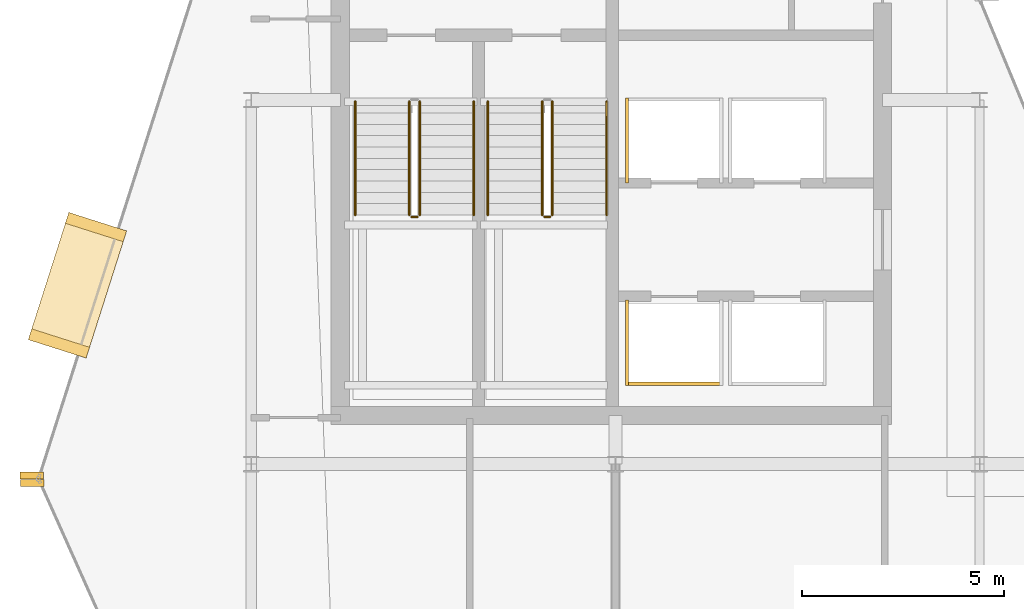
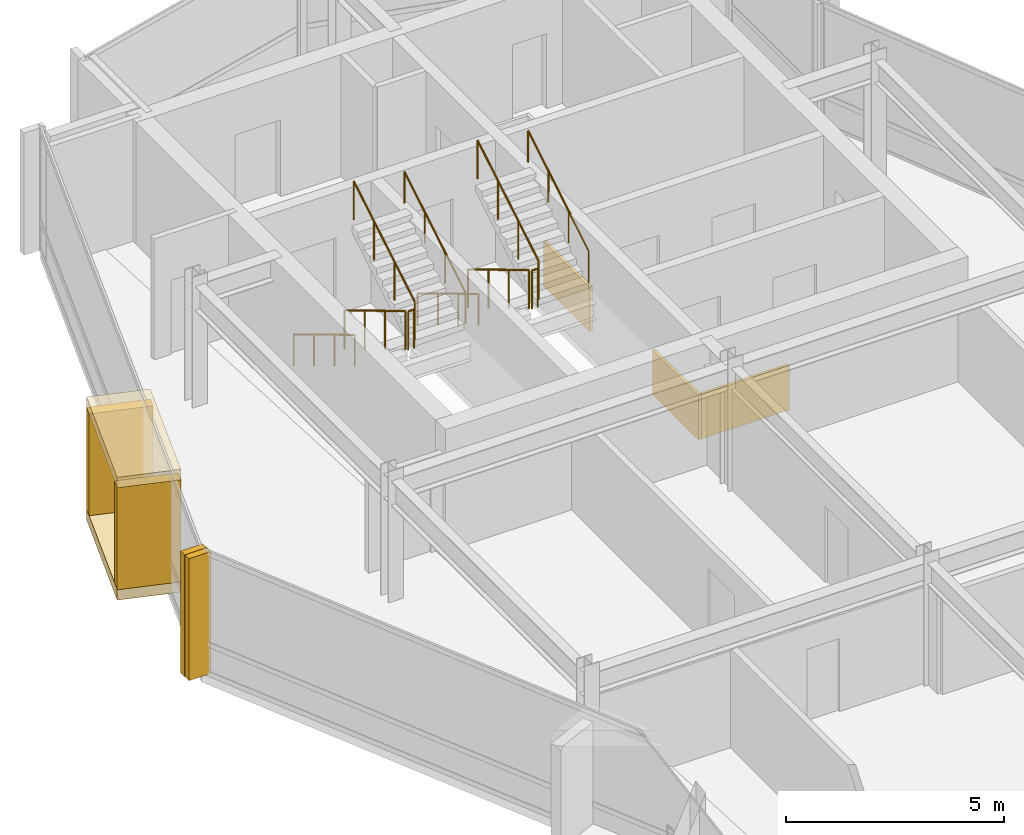
# One storey, part 17 of 19: 10 railings, 9 coverings.
"""IFC4 building model written with IfcOpenShell, lengths in metres."""

from ifc_helpers import new_model, si_unit, direction, frame, origin, origin_2d, place, context, subcontext, project, spatial, rectangle, circle, extrude, material, layer, layer_set, type_object, element, save


model = new_model("IFC4")

# Units and contexts
model_context = context("Model", 3, precision=1e-05, world=origin(), true_north=direction((0.0, 1.0)))
body_context = subcontext(model_context, "Body", "Model", "MODEL_VIEW")
ifc_project = project(units=[si_unit("LENGTHUNIT", "METRE"), si_unit("AREAUNIT", "SQUARE_METRE"), si_unit("VOLUMEUNIT", "CUBIC_METRE"), si_unit("PLANEANGLEUNIT", "RADIAN"), si_unit("MASSUNIT", "GRAM", prefix="KILO")], contexts=[model_context])

# Site, building, storey
site_placement = place(None, origin())
site = spatial("IfcSite", under=ifc_project, at=site_placement, CompositionType="ELEMENT")
building_placement = place(site_placement, origin())
building = spatial("IfcBuilding", under=site, at=building_placement, Name="Solvaryn Broadcast Tower", CompositionType="ELEMENT")
storey_placement = place(building_placement, frame((0.0, 0.0, 277.800048828125)))
storey = spatial("IfcBuildingStorey", under=building, at=storey_placement, Name="L70", CompositionType="ELEMENT", Elevation=277.800048828125)

# Coverings
ifc_material_1 = material(Name="Fire-Rated Gypsum Shaftwall Liner", Category="concrete")
ifc_layer_1 = layer(ifc_material_1, 0.080078125)
ifc_layer_set_1 = layer_set([ifc_layer_1], Name="CV-SHAFT-LINER")
covering_type_1 = type_object("IfcCoveringType", Name="CV-SHAFT-LINER", PredefinedType="CLADDING", material=ifc_layer_set_1)
covering_placement = place(storey_placement, frame((19.449951171875, 28.985107421875, 0.0), z_axis=(0.0, 0.0, 1.0), x_axis=(1.0, 0.0, 0.0)))
element("IfcCovering", 1, at=covering_placement, inside=storey, type_object=covering_type_1, Name="L70 PH1 Hoistway Shaft Liner South", PredefinedType="CLADDING", context=body_context, shape_type="SweptSolid", body=[
    extrude(rectangle(XDim=2.409912109375, YDim=0.080078125, at=origin_2d()), origin(), (0.0, 0.0, 1.0), 1.25),
])
for number, where, z_axis, x_axis, name in (
    (2, (18.284912109375, 30.0, 0.0), (0.0, 0.0, 1.0), (1.0, 0.0, 0.0), "L70 PH1 Hoistway Shaft Liner West"),
    (3, (18.284912109375, 35.0, 0.0), (0.0, 0.0, 1.0), (1.0, 0.0, 0.0), "L70 PH3 Hoistway Shaft Liner West"),
):
    element("IfcCovering", number, at=place(storey_placement, frame(where, z_axis=z_axis, x_axis=x_axis)), inside=storey, type_object=covering_type_1, Name=name, PredefinedType="CLADDING", context=body_context, shape_type="SweptSolid", body=[
        extrude(rectangle(XDim=0.080078125, YDim=2.110107421875, at=origin_2d()), origin(), (0.0, 0.0, 1.0), 1.25),
    ])
ifc_material_2 = material(Name="Glazed Architectural Terracotta Rainscreen Cladding", Category="masonry")
ifc_layer_2 = layer(ifc_material_2, 0.280029296875)
ifc_layer_set_2 = layer_set([ifc_layer_2], Name="CV-TC-CLAD")
covering_type_2 = type_object("IfcCoveringType", Name="CV-TC-CLAD", PredefinedType="CLADDING", material=ifc_layer_set_2)
for number, where, z_axis, x_axis, name in (
    (4, (4.7060546875, 31.4208984375, 3.1298828125), (0.0, 0.0, 1.0), (-0.303534206887, -0.952820541996, 0.0), "L70 Projecting Stone Window Box Hood 1"),
    (5, (4.7060546875, 31.4208984375, -0.01025390625), (0.0, 0.0, 1.0), (-0.303534206887, -0.952820541996, 0.0), "L70 Projecting Stone Window Box Sill 1"),
):
    element("IfcCovering", number, at=place(storey_placement, frame(where, z_axis=z_axis, x_axis=x_axis)), inside=storey, type_object=covering_type_2, Name=name, PredefinedType="CLADDING", context=body_context, shape_type="SweptSolid", body=[
        extrude(rectangle(XDim=3.300048828125, YDim=1.5, at=origin_2d()), origin(), (0.0, 0.0, 1.0), 0.300048828125),
    ])
for number, where, z_axis, x_axis, name in (
    (6, (5.164306640625, 32.85986328125, 0.27978515625), (0.0, 0.0, 1.0), (-0.303534206887, -0.952820541996, 0.0), "L70 Projecting Stone Window Box Cheek 1-1"),
    (7, (4.247802734375, 29.982177734375, 0.27978515625), (0.0, 0.0, 1.0), (-0.303534206887, -0.952820541996, 0.0), "L70 Projecting Stone Window Box Cheek 1-2"),
):
    element("IfcCovering", number, at=place(storey_placement, frame(where, z_axis=z_axis, x_axis=x_axis)), inside=storey, type_object=covering_type_2, Name=name, PredefinedType="CLADDING", context=body_context, shape_type="SweptSolid", body=[
        extrude(rectangle(XDim=0.280029296875, YDim=1.5, at=origin_2d()), origin(), (0.0, 0.0, 1.0), 2.860107421875),
    ])
ifc_material_3 = material(Name="Extruded Architectural Terracotta Fin", Category="masonry")
ifc_layer_3 = layer(ifc_material_3, 0.179931640625)
ifc_layer_set_3 = layer_set([ifc_layer_3], Name="CV-TC-FIN")
covering_type_3 = type_object("IfcCoveringType", Name="CV-TC-FIN", PredefinedType="USERDEFINED", material=ifc_layer_set_3)
for number, where, z_axis, x_axis, name in (
    (8, (3.575439453125, 26.71923828125, 0.0), (0.0, 0.0, 1.0), (1.0, 0.0, 0.0), "L70 Terracotta Vertical Fin FIN-L70-DR1-M01"),
    (9, (3.5859375, 26.53515625, 0.0), (0.0, 0.0, 1.0), (1.0, 0.0, 0.0), "L70 Terracotta Vertical Fin FIN-L70-DR2-M00"),
):
    element("IfcCovering", number, at=place(storey_placement, frame(where, z_axis=z_axis, x_axis=x_axis)), inside=storey, type_object=covering_type_3, Name=name, ObjectType="FIN", PredefinedType="USERDEFINED", context=body_context, shape_type="SweptSolid", body=[
        extrude(rectangle(XDim=0.580078125, YDim=0.179931640625, at=origin_2d()), origin(), (0.0, 0.0, 1.0), 3.419921875),
    ])

# Railings
ifc_material_4 = material(Name="Painted Steel Stair Well Guard", Category="steel")
railing_type_1 = type_object("IfcRailingType", Name="RL-STAIR-GUARD", PredefinedType="BALUSTRADE", material=ifc_material_4)
railing_1_placement = place(storey_placement, frame((12.909912109375, 35.9599609375, 0.168212890625)))
element("IfcRailing", 10, at=railing_1_placement, inside=storey, type_object=railing_type_1, Name="L70 ST1 stair guard 1", PredefinedType="BALUSTRADE", context=body_context, shape_type="SweptSolid", body=[
    extrude(circle(Radius=0.02392578125, at=origin_2d()), frame((0.0, 0.0, 1.076171875), z_axis=(0.0, -0.857275202839, 0.514858452973), x_axis=(1.0, 0.0, 0.0)), (0.0, 0.0, 1.0), 3.26611328125),
    extrude(circle(Radius=0.02099609375, at=origin_2d()), origin(), (0.0, 0.0, 1.0), 1.052001953125),
    extrude(circle(Radius=0.02099609375, at=origin_2d()), frame((0.0, -0.933349609375, 0.560546875)), (0.0, 0.0, 1.0), 1.052001953125),
    extrude(circle(Radius=0.02099609375, at=origin_2d()), frame((0.0, -1.86669921875, 1.12109375)), (0.0, 0.0, 1.0), 1.052001953125),
    extrude(circle(Radius=0.02099609375, at=origin_2d()), frame((0.0, -2.800048828125, 1.681640625)), (0.0, 0.0, 1.0), 1.052001953125),
])
railing_2_placement = place(storey_placement, frame((12.9599609375, 33.110107421875, 1.849853515625)))
element("IfcRailing", 11, at=railing_2_placement, inside=storey, type_object=railing_type_1, Name="L70 ST1 stair guard 2", PredefinedType="BALUSTRADE", context=body_context, shape_type="SweptSolid", body=[
    extrude(circle(Radius=0.02392578125, at=origin_2d()), frame((0.0, 0.0, 1.076171875), z_axis=(1.0, 0.0, 0.0), x_axis=(0.0, 1.0, 0.0)), (0.0, 0.0, 1.0), 0.150146484375),
    extrude(circle(Radius=0.02099609375, at=origin_2d()), origin(), (0.0, 0.0, 1.0), 1.052001953125),
    extrude(circle(Radius=0.02099609375, at=origin_2d()), frame((0.150146484375, 0.0, 0.0)), (0.0, 0.0, 1.0), 1.052001953125),
])
railing_3_placement = place(storey_placement, frame((13.159912109375, 33.159912109375, 2.01806640625)))
element("IfcRailing", 12, at=railing_3_placement, inside=storey, type_object=railing_type_1, Name="L70 ST1 stair guard 3", PredefinedType="BALUSTRADE", context=body_context, shape_type="SweptSolid", body=[
    extrude(circle(Radius=0.02392578125, at=origin_2d()), frame((0.0, 0.0, 1.076171875), z_axis=(0.0, 0.857242210791, 0.514913383045), x_axis=(-1.0, 0.0, 0.0)), (0.0, 0.0, 1.0), 3.266357421875),
    extrude(circle(Radius=0.02099609375, at=origin_2d()), origin(), (0.0, 0.0, 1.0), 1.052001953125),
    extrude(circle(Radius=0.02099609375, at=origin_2d()), frame((0.0, 0.933349609375, 0.560546875)), (0.0, 0.0, 1.0), 1.052001953125),
    extrude(circle(Radius=0.02099609375, at=origin_2d()), frame((0.0, 1.86669921875, 1.121337890625)), (0.0, 0.0, 1.0), 1.052001953125),
    extrude(circle(Radius=0.02099609375, at=origin_2d()), frame((0.0, 2.800048828125, 1.681884765625)), (0.0, 0.0, 1.0), 1.052001953125),
])
railing_4_placement = place(storey_placement, frame((16.18994140625, 35.9599609375, 0.168212890625)))
element("IfcRailing", 13, at=railing_4_placement, inside=storey, type_object=railing_type_1, Name="L70 ST2 stair guard 1", PredefinedType="BALUSTRADE", context=body_context, shape_type="SweptSolid", body=[
    extrude(circle(Radius=0.02392578125, at=origin_2d()), frame((0.0, 0.0, 1.076171875), z_axis=(0.0, -0.857275202839, 0.514858452973), x_axis=(1.0, 0.0, 0.0)), (0.0, 0.0, 1.0), 3.26611328125),
    extrude(circle(Radius=0.02099609375, at=origin_2d()), origin(), (0.0, 0.0, 1.0), 1.052001953125),
    extrude(circle(Radius=0.02099609375, at=origin_2d()), frame((0.0, -0.933349609375, 0.560546875)), (0.0, 0.0, 1.0), 1.052001953125),
    extrude(circle(Radius=0.02099609375, at=origin_2d()), frame((0.0, -1.86669921875, 1.12109375)), (0.0, 0.0, 1.0), 1.052001953125),
    extrude(circle(Radius=0.02099609375, at=origin_2d()), frame((0.0, -2.800048828125, 1.681640625)), (0.0, 0.0, 1.0), 1.052001953125),
])
railing_5_placement = place(storey_placement, frame((16.239990234375, 33.110107421875, 1.849853515625)))
element("IfcRailing", 14, at=railing_5_placement, inside=storey, type_object=railing_type_1, Name="L70 ST2 stair guard 2", PredefinedType="BALUSTRADE", context=body_context, shape_type="SweptSolid", body=[
    extrude(circle(Radius=0.02392578125, at=origin_2d()), frame((0.0, 0.0, 1.076171875), z_axis=(1.0, 0.0, 0.0), x_axis=(0.0, 1.0, 0.0)), (0.0, 0.0, 1.0), 0.14990234375),
    extrude(circle(Radius=0.02099609375, at=origin_2d()), origin(), (0.0, 0.0, 1.0), 1.052001953125),
    extrude(circle(Radius=0.02099609375, at=origin_2d()), frame((0.14990234375, 0.0, 0.0)), (0.0, 0.0, 1.0), 1.052001953125),
])
railing_6_placement = place(storey_placement, frame((16.43994140625, 33.159912109375, 2.01806640625)))
element("IfcRailing", 15, at=railing_6_placement, inside=storey, type_object=railing_type_1, Name="L70 ST2 stair guard 3", PredefinedType="BALUSTRADE", context=body_context, shape_type="SweptSolid", body=[
    extrude(circle(Radius=0.02392578125, at=origin_2d()), frame((0.0, 0.0, 1.076171875), z_axis=(0.0, 0.857242210791, 0.514913383045), x_axis=(-1.0, 0.0, 0.0)), (0.0, 0.0, 1.0), 3.266357421875),
    extrude(circle(Radius=0.02099609375, at=origin_2d()), origin(), (0.0, 0.0, 1.0), 1.052001953125),
    extrude(circle(Radius=0.02099609375, at=origin_2d()), frame((0.0, 0.933349609375, 0.560546875)), (0.0, 0.0, 1.0), 1.052001953125),
    extrude(circle(Radius=0.02099609375, at=origin_2d()), frame((0.0, 1.86669921875, 1.121337890625)), (0.0, 0.0, 1.0), 1.052001953125),
    extrude(circle(Radius=0.02099609375, at=origin_2d()), frame((0.0, 2.800048828125, 1.681884765625)), (0.0, 0.0, 1.0), 1.052001953125),
])
ifc_material_5 = material(Name="Brushed Stainless Steel Tubular Handrail", Category="steel")
railing_type_2 = type_object("IfcRailingType", Name="RL-STAIR-HANDRAIL", PredefinedType="HANDRAIL", material=ifc_material_5)
railing_7_placement = place(storey_placement, frame((11.570068359375, 35.9599609375, 0.168212890625)))
element("IfcRailing", 16, at=railing_7_placement, inside=storey, type_object=railing_type_2, Name="L70 ST1 stair handrail 1", PredefinedType="HANDRAIL", context=body_context, shape_type="SweptSolid", body=[
    extrude(circle(Radius=0.02392578125, at=origin_2d()), frame((0.0, 0.0, 0.8759765625), z_axis=(0.0, -0.857275202839, 0.514858452973), x_axis=(1.0, 0.0, 0.0)), (0.0, 0.0, 1.0), 3.26611328125),
    extrude(circle(Radius=0.02099609375, at=origin_2d()), origin(), (0.0, 0.0, 1.0), 0.851806640625),
    extrude(circle(Radius=0.02099609375, at=origin_2d()), frame((0.0, -0.933349609375, 0.560546875)), (0.0, 0.0, 1.0), 0.851806640625),
    extrude(circle(Radius=0.02099609375, at=origin_2d()), frame((0.0, -1.86669921875, 1.12109375)), (0.0, 0.0, 1.0), 0.851806640625),
    extrude(circle(Radius=0.02099609375, at=origin_2d()), frame((0.0, -2.800048828125, 1.681640625)), (0.0, 0.0, 1.0), 0.851806640625),
])
railing_8_placement = place(storey_placement, frame((14.5, 33.159912109375, 2.01806640625)))
element("IfcRailing", 17, at=railing_8_placement, inside=storey, type_object=railing_type_2, Name="L70 ST1 stair handrail 2", PredefinedType="HANDRAIL", context=body_context, shape_type="SweptSolid", body=[
    extrude(circle(Radius=0.02392578125, at=origin_2d()), frame((0.0, 0.0, 0.8759765625), z_axis=(0.0, 0.857242210791, 0.514913383045), x_axis=(-1.0, 0.0, 0.0)), (0.0, 0.0, 1.0), 3.266357421875),
    extrude(circle(Radius=0.02099609375, at=origin_2d()), origin(), (0.0, 0.0, 1.0), 0.851806640625),
    extrude(circle(Radius=0.02099609375, at=origin_2d()), frame((0.0, 0.933349609375, 0.560546875)), (0.0, 0.0, 1.0), 0.851806640625),
    extrude(circle(Radius=0.02099609375, at=origin_2d()), frame((0.0, 1.86669921875, 1.121337890625)), (0.0, 0.0, 1.0), 0.851806640625),
    extrude(circle(Radius=0.02099609375, at=origin_2d()), frame((0.0, 2.800048828125, 1.681884765625)), (0.0, 0.0, 1.0), 0.851806640625),
])
railing_9_placement = place(storey_placement, frame((14.85009765625, 35.9599609375, 0.168212890625)))
element("IfcRailing", 18, at=railing_9_placement, inside=storey, type_object=railing_type_2, Name="L70 ST2 stair handrail 1", PredefinedType="HANDRAIL", context=body_context, shape_type="SweptSolid", body=[
    extrude(circle(Radius=0.02392578125, at=origin_2d()), frame((0.0, 0.0, 0.8759765625), z_axis=(0.0, -0.857275202839, 0.514858452973), x_axis=(1.0, 0.0, 0.0)), (0.0, 0.0, 1.0), 3.26611328125),
    extrude(circle(Radius=0.02099609375, at=origin_2d()), origin(), (0.0, 0.0, 1.0), 0.851806640625),
    extrude(circle(Radius=0.02099609375, at=origin_2d()), frame((0.0, -0.933349609375, 0.560546875)), (0.0, 0.0, 1.0), 0.851806640625),
    extrude(circle(Radius=0.02099609375, at=origin_2d()), frame((0.0, -1.86669921875, 1.12109375)), (0.0, 0.0, 1.0), 0.851806640625),
    extrude(circle(Radius=0.02099609375, at=origin_2d()), frame((0.0, -2.800048828125, 1.681640625)), (0.0, 0.0, 1.0), 0.851806640625),
])
railing_10_placement = place(storey_placement, frame((17.780029296875, 33.159912109375, 2.01806640625)))
element("IfcRailing", 19, at=railing_10_placement, inside=storey, type_object=railing_type_2, Name="L70 ST2 stair handrail 2", PredefinedType="HANDRAIL", context=body_context, shape_type="SweptSolid", body=[
    extrude(circle(Radius=0.02392578125, at=origin_2d()), frame((0.0, 0.0, 0.8759765625), z_axis=(0.0, 0.857242210791, 0.514913383045), x_axis=(-1.0, 0.0, 0.0)), (0.0, 0.0, 1.0), 3.266357421875),
    extrude(circle(Radius=0.02099609375, at=origin_2d()), origin(), (0.0, 0.0, 1.0), 0.851806640625),
    extrude(circle(Radius=0.02099609375, at=origin_2d()), frame((0.0, 0.933349609375, 0.560546875)), (0.0, 0.0, 1.0), 0.851806640625),
    extrude(circle(Radius=0.02099609375, at=origin_2d()), frame((0.0, 1.86669921875, 1.121337890625)), (0.0, 0.0, 1.0), 0.851806640625),
    extrude(circle(Radius=0.02099609375, at=origin_2d()), frame((0.0, 2.800048828125, 1.681884765625)), (0.0, 0.0, 1.0), 0.851806640625),
])

save(model, "model.ifc")
